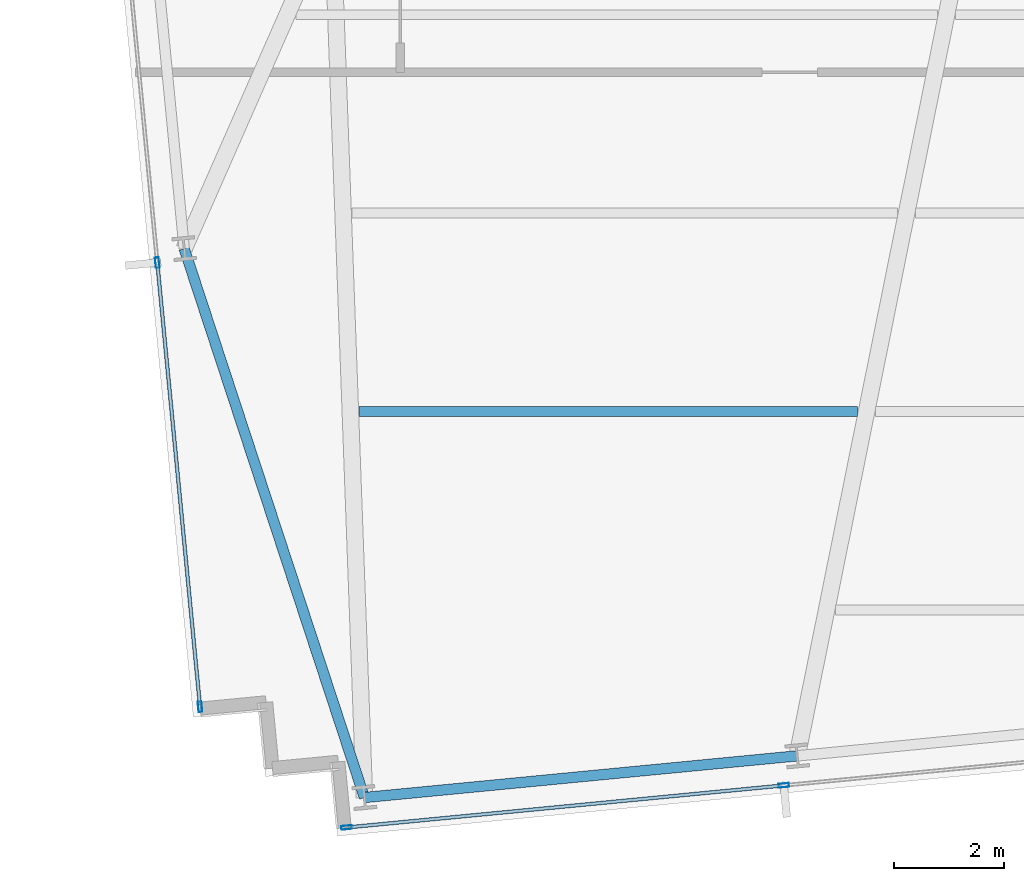
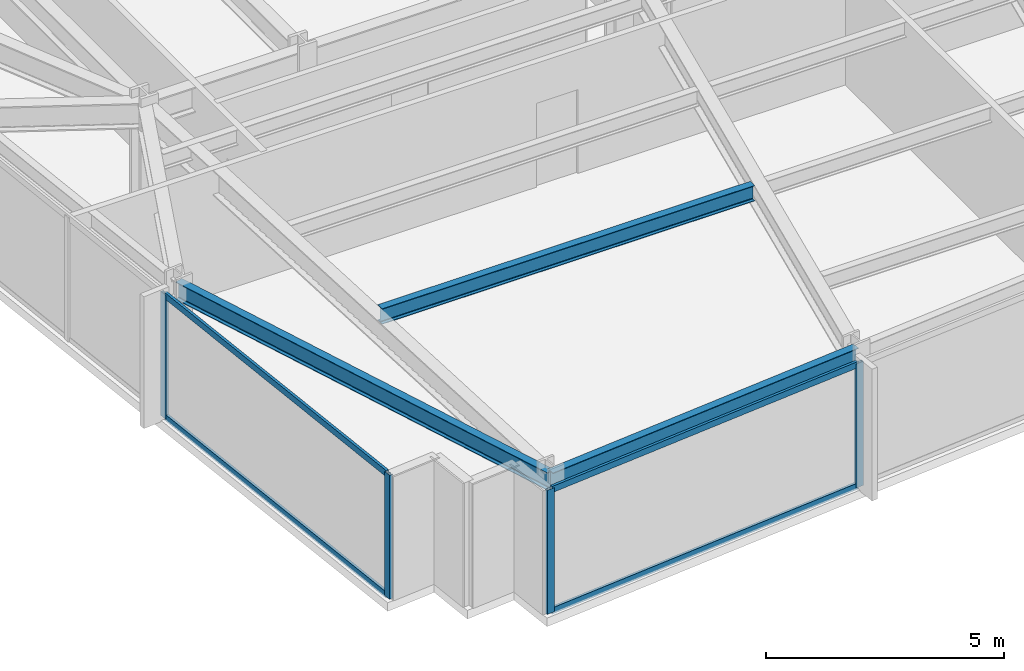
# One storey, part 2 of 32: 8 members, 3 beams, 2 elements without a shape of their own.
"""IFC4 building model written with IfcOpenShell, lengths in metres."""

from ifc_helpers import new_model, si_unit, direction, frame, origin, origin_2d, place, context, subcontext, project, spatial, hollow_rectangle, i_section, extrude, material, material_profile, profile_set, type_object, element, aggregate, save


model = new_model("IFC4")

# Units and contexts
model_context = context("Model", 3, precision=1e-05, world=origin(), true_north=direction((0.0, 1.0)))
body_context = subcontext(model_context, "Body", "Model", "MODEL_VIEW")
ifc_project = project(units=[si_unit("LENGTHUNIT", "METRE"), si_unit("AREAUNIT", "SQUARE_METRE"), si_unit("VOLUMEUNIT", "CUBIC_METRE"), si_unit("PLANEANGLEUNIT", "RADIAN"), si_unit("MASSUNIT", "GRAM", prefix="KILO")], contexts=[model_context])

# Site, building, storey
site_placement = place(None, origin())
site = spatial("IfcSite", under=ifc_project, at=site_placement, CompositionType="ELEMENT")
building_placement = place(site_placement, origin())
building = spatial("IfcBuilding", under=site, at=building_placement, Name="Yelkora Congress Tower", CompositionType="ELEMENT")
storey_placement = place(building_placement, frame((0.0, 0.0, 99.89990234375)))
storey = spatial("IfcBuildingStorey", under=building, at=storey_placement, Name="L26", CompositionType="ELEMENT", Elevation=99.89990234375)

# Beams
ifc_material_1 = material(Name="Steel S355J2", Category="steel")
ifc_material_profile_1 = material_profile(ifc_material_1, i_section(OverallWidth=0.179931640625, OverallDepth=0.39990234375, WebThickness=0.008544921875, FlangeThickness=0.013427734375, FilletRadius=0.02099609375, at=origin_2d()), Name="IPE 400")
ifc_profile_set_1 = profile_set([ifc_material_profile_1], Name="Steel S355J2")
beam_type_1 = type_object("IfcBeamType", Name="BM-JOIST-IPE400", PredefinedType="JOIST", material=ifc_profile_set_1)
beam_1_placement = place(storey_placement, frame((19.6904296875, 16.144287109375, 2.97998046875), z_axis=(1.0, 0.0, 0.0), x_axis=(0.0, 1.0, 0.0)))
element("IfcBeam", 1, at=beam_1_placement, inside=storey, type_object=beam_type_1, Name="L26 Composite Floor Joist 4", PredefinedType="JOIST", context=body_context, shape_type="SweptSolid", body=[
    extrude(i_section(OverallWidth=0.179931640625, OverallDepth=0.39990234375, WebThickness=0.008544921875, FlangeThickness=0.013427734375, FilletRadius=0.02099609375, at=origin_2d()), origin(), (0.0, 0.0, 1.0), 9.0439453125),
])
ifc_material_profile_2 = material_profile(ifc_material_1, i_section(OverallWidth=0.18994140625, OverallDepth=0.449951171875, WebThickness=0.009521484375, FlangeThickness=0.0146484375, FilletRadius=0.02099609375, at=origin_2d()), Name="IPE 450")
ifc_profile_set_2 = profile_set([ifc_material_profile_2], Name="Steel S355J2")
beam_type_2 = type_object("IfcBeamType", Name="BM-SPAN-IPE450", PredefinedType="SPANDREL", material=ifc_profile_set_2)
beam_2_placement = place(storey_placement, frame((16.5166015625, 19.101806640625, 2.955078125), z_axis=(0.311940628701, -0.95010159676, 0.0), x_axis=(0.95010159676, 0.311940628701, 0.0)))
element("IfcBeam", 2, at=beam_2_placement, inside=storey, type_object=beam_type_2, Name="L26 Perimeter Beam 2", PredefinedType="SPANDREL", context=body_context, shape_type="SweptSolid", body=[
    extrude(i_section(OverallWidth=0.18994140625, OverallDepth=0.449951171875, WebThickness=0.009521484375, FlangeThickness=0.0146484375, FilletRadius=0.02099609375, at=origin_2d()), origin(), (0.0, 0.0, 1.0), 10.48046875),
])
beam_3_placement = place(storey_placement, frame((19.785888671875, 9.144287109375, 2.955078125), z_axis=(0.995395860104, 0.095849265454, 0.0), x_axis=(-0.095849265454, 0.995395860104, 0.0)))
element("IfcBeam", 3, at=beam_3_placement, inside=storey, type_object=beam_type_2, Name="L26 Perimeter Beam 3", PredefinedType="SPANDREL", context=body_context, shape_type="SweptSolid", body=[
    extrude(i_section(OverallWidth=0.18994140625, OverallDepth=0.449951171875, WebThickness=0.009521484375, FlangeThickness=0.0146484375, FilletRadius=0.02099609375, at=origin_2d()), origin(), (0.0, 0.0, 1.0), 7.885986328125),
])

# Curtain wall, members
ifc_material_2 = material(Name="Anodised aluminium and insulated glass", Category="aluminium")
curtain_wall_type = type_object("IfcCurtainWallType", Name="CW-SYS-B2", PredefinedType="NOTDEFINED", material=ifc_material_2)
curtain_wall_1_placement = place(storey_placement, origin())
curtain_wall_1 = element("IfcCurtainWall", 4, at=curtain_wall_1_placement, inside=storey, type_object=curtain_wall_type, Name="L26 Unitised Curtain Wall 5", PredefinedType="NOTDEFINED")
ifc_material_3 = material(Name="Anodised aluminium 6063-T6", Category="aluminium")
ifc_material_profile_3 = material_profile(ifc_material_3, hollow_rectangle(XDim=0.070068359375, YDim=0.18994140625, WallThickness=0.00390625, at=origin_2d()), Name="ALU 70x190x4")
ifc_profile_set_3 = profile_set([ifc_material_profile_3], Name="Anodised aluminium 6063-T6")
member_type_1 = type_object("IfcMemberType", Name="MEM-ML-B2", PredefinedType="MULLION", material=ifc_profile_set_3)
member_1_placement = place(storey_placement, frame((16.804443359375, 10.791259765625, 0.0), z_axis=(0.0, 0.0, 1.0), x_axis=(-0.995396507508, -0.095842541913, 0.0)))
member_1 = element("IfcMember", 5, at=member_1_placement, type_object=member_type_1, Name="CW-B2 mullion 1", PredefinedType="MULLION", context=body_context, shape_type="SweptSolid", body=[
    extrude(hollow_rectangle(XDim=0.070068359375, YDim=0.18994140625, WallThickness=0.00390625, at=origin_2d()), origin(), (0.0, 0.0, 1.0), 3.18017578125),
])
member_2_placement = place(storey_placement, frame((16.028564453125, 18.848876953125, 0.0), z_axis=(0.0, 0.0, 1.0), x_axis=(-0.995396507508, -0.095842541913, 0.0)))
member_2 = element("IfcMember", 6, at=member_2_placement, type_object=member_type_1, Name="CW-B2 mullion 2", PredefinedType="MULLION", context=body_context, shape_type="SweptSolid", body=[
    extrude(hollow_rectangle(XDim=0.070068359375, YDim=0.18994140625, WallThickness=0.00390625, at=origin_2d()), origin(), (0.0, 0.0, 1.0), 3.18017578125),
])

curtain_wall_2_placement = place(storey_placement, origin())
curtain_wall_2 = element("IfcCurtainWall", 7, at=curtain_wall_2_placement, inside=storey, type_object=curtain_wall_type, Name="L26 Unitised Curtain Wall 20", PredefinedType="NOTDEFINED")
member_3_placement = place(storey_placement, frame((27.392822265625, 9.364501953125, 0.0), z_axis=(0.0, 0.0, 1.0), x_axis=(0.095844345816, -0.995396333816, 0.0)))
member_3 = element("IfcMember", 8, at=member_3_placement, type_object=member_type_1, Name="CW-B2 mullion 7", PredefinedType="MULLION", context=body_context, shape_type="SweptSolid", body=[
    extrude(hollow_rectangle(XDim=0.070068359375, YDim=0.18994140625, WallThickness=0.00390625, at=origin_2d()), origin(), (0.0, 0.0, 1.0), 3.18017578125),
])
member_4_placement = place(storey_placement, frame((19.46142578125, 8.600830078125, 0.0), z_axis=(0.0, 0.0, 1.0), x_axis=(0.095844345816, -0.995396333816, 0.0)))
member_4 = element("IfcMember", 9, at=member_4_placement, type_object=member_type_1, Name="CW-B2 mullion 8", PredefinedType="MULLION", context=body_context, shape_type="SweptSolid", body=[
    extrude(hollow_rectangle(XDim=0.070068359375, YDim=0.18994140625, WallThickness=0.00390625, at=origin_2d()), origin(), (0.0, 0.0, 1.0), 3.18017578125),
])

# Member
ifc_material_profile_4 = material_profile(ifc_material_3, hollow_rectangle(XDim=0.06494140625, YDim=0.159912109375, WallThickness=0.00390625, at=origin_2d()), Name="ALU 65x160x4")
ifc_profile_set_4 = profile_set([ifc_material_profile_4], Name="Anodised aluminium 6063-T6")
member_type_2 = type_object("IfcMemberType", Name="MEM-TR-B2", PredefinedType="USERDEFINED", material=ifc_profile_set_4)
member_5_placement = place(storey_placement, frame((16.801025390625, 10.826171875, 0.03271484375), z_axis=(-0.095861385662, 0.995394692943, 0.0), x_axis=(-0.995394692943, -0.095861385662, 0.0)))
member_5 = element("IfcMember", 10, at=member_5_placement, type_object=member_type_2, Name="CW-B2 transom 1.1", ObjectType="TRANSOM", PredefinedType="USERDEFINED", context=body_context, shape_type="SweptSolid", body=[
    extrude(hollow_rectangle(XDim=0.06494140625, YDim=0.159912109375, WallThickness=0.00390625, at=origin_2d()), origin(), (0.0, 0.0, 1.0), 8.02490234375),
])

member_6_placement = place(storey_placement, frame((16.801025390625, 10.826171875, 3.147705078125), z_axis=(-0.095861385662, 0.995394692943, 0.0), x_axis=(-0.995394692943, -0.095861385662, 0.0)))
member_6 = element("IfcMember", 11, at=member_6_placement, type_object=member_type_2, Name="CW-B2 transom 1.2", ObjectType="TRANSOM", PredefinedType="USERDEFINED", context=body_context, shape_type="SweptSolid", body=[
    extrude(hollow_rectangle(XDim=0.06494140625, YDim=0.159912109375, WallThickness=0.00390625, at=origin_2d()), origin(), (0.0, 0.0, 1.0), 8.02490234375),
])

aggregate(curtain_wall_1, [member_1, member_2, member_5, member_6])

member_7_placement = place(storey_placement, frame((27.35791015625, 9.361083984375, 0.03271484375), z_axis=(-0.995397978421, -0.095827264157, 0.0), x_axis=(0.095827264157, -0.995397978421, 0.0)))
member_7 = element("IfcMember", 12, at=member_7_placement, type_object=member_type_2, Name="CW-B2 transom 7.1", ObjectType="TRANSOM", PredefinedType="USERDEFINED", context=body_context, shape_type="SweptSolid", body=[
    extrude(hollow_rectangle(XDim=0.06494140625, YDim=0.159912109375, WallThickness=0.00390625, at=origin_2d()), origin(), (0.0, 0.0, 1.0), 7.89794921875),
])

member_8_placement = place(storey_placement, frame((27.35791015625, 9.361083984375, 3.147705078125), z_axis=(-0.995397978421, -0.095827264157, 0.0), x_axis=(0.095827264157, -0.995397978421, 0.0)))
member_8 = element("IfcMember", 13, at=member_8_placement, type_object=member_type_2, Name="CW-B2 transom 7.2", ObjectType="TRANSOM", PredefinedType="USERDEFINED", context=body_context, shape_type="SweptSolid", body=[
    extrude(hollow_rectangle(XDim=0.06494140625, YDim=0.159912109375, WallThickness=0.00390625, at=origin_2d()), origin(), (0.0, 0.0, 1.0), 7.89794921875),
])

aggregate(curtain_wall_2, [member_3, member_4, member_7, member_8])

save(model, "model.ifc")
